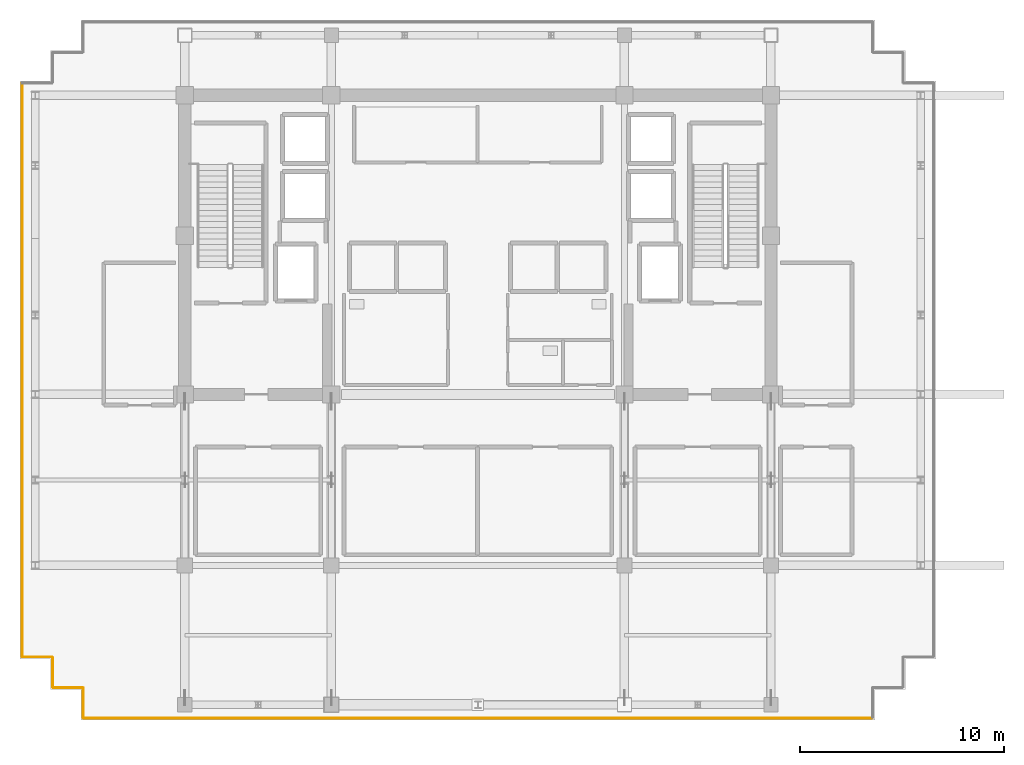
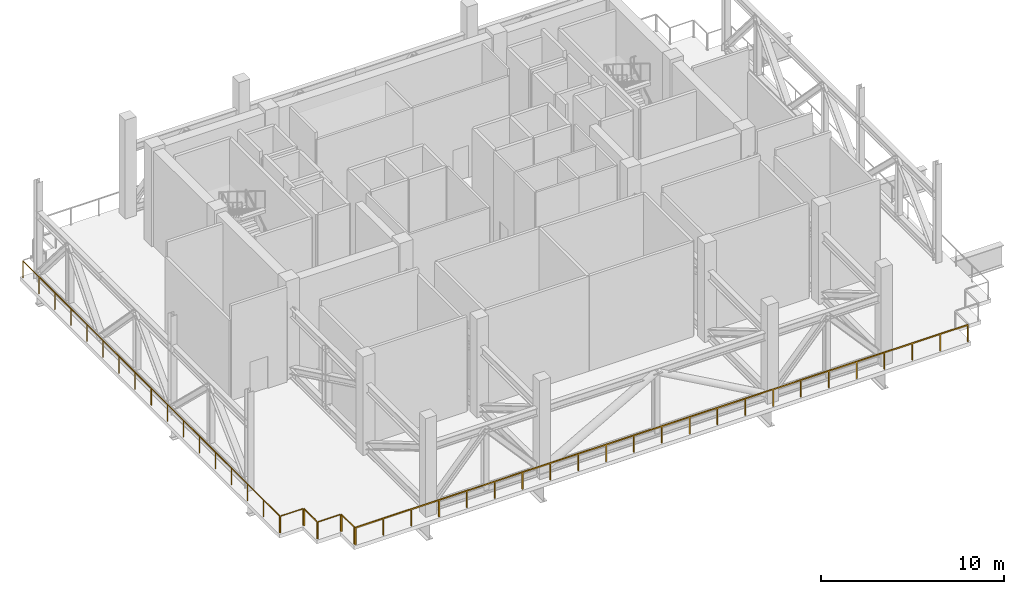
# One storey, part 7 of 11: 6 railings.
"""IFC4 building model written with IfcOpenShell, lengths in metres."""

import ifcopenshell
import ifcopenshell.guid

model = None  # the IFC model being written
_history = None  # IfcOwnerHistory: only IFC2X3 demands one
_inside = {}  # id of a spatial element -> (the spatial element, [elements in it])
_under = {}  # id of a project, library or spatial element -> (it, [spatial elements below it])
_declared = {}  # id of a project -> (the project, [libraries it declares])
_typed = {}  # id of a type object -> (the type object, [elements of that type])
_made_of = {}  # id of a material, layer set ... -> (it, [elements and type objects made of it])


def new_model(schema):
    """Start an empty IFC model of exactly this schema.

    Asked for "IFC4X3", IfcOpenShell would pick the latest addendum, in which some entities
    have other attributes; the version numbers below select the first issue.
    IFC2X3 requires an IfcOwnerHistory on every rooted entity: one is made here for all.
    """
    global model, _history
    if schema == "IFC4X3":
        model = ifcopenshell.file(schema_version=(4, 3, 0, 0))
    else:
        model = ifcopenshell.file(schema=schema)
    _inside.clear()
    _under.clear()
    _declared.clear()
    _typed.clear()
    _made_of.clear()
    _history = None
    if model.schema == "IFC2X3":
        org = make("IfcOrganization", Name="unknown")
        user = make(
            "IfcPersonAndOrganization",
            ThePerson=make("IfcPerson", FamilyName="unknown"),
            TheOrganization=org,
        )
        app = make(
            "IfcApplication",
            ApplicationDeveloper=org,
            Version="unknown",
            ApplicationFullName="unknown",
            ApplicationIdentifier="unknown",
        )
        _history = make(
            "IfcOwnerHistory",
            OwningUser=user,
            OwningApplication=app,
            ChangeAction="ADDED",
            CreationDate=0,
        )
    return model


def make(cls, **values):
    """One entity of the class cls with the attributes given. An attribute that is None is left unset."""
    return model.create_entity(
        cls, **{name: value for name, value in values.items() if value is not None}
    )


def rooted(cls, **values):
    """An entity with a GlobalId (a new one), such as an element, a storey or a relation."""
    return make(cls, GlobalId=ifcopenshell.guid.new(), OwnerHistory=_history, **values)


def si_unit(unit_type, name, prefix=None):
    """IfcSIUnit, for example si_unit("LENGTHUNIT", "METRE", prefix="MILLI")."""
    return make("IfcSIUnit", UnitType=unit_type, Prefix=prefix, Name=name)


def assignment(units):
    """IfcUnitAssignment: the units of a project."""
    return None if units is None else make("IfcUnitAssignment", Units=units)


def point(xyz):
    """IfcCartesianPoint."""
    return None if xyz is None else make("IfcCartesianPoint", Coordinates=xyz)


def direction(xyz):
    """IfcDirection."""
    return None if xyz is None else make("IfcDirection", DirectionRatios=xyz)


def frame(location, z_axis=None, x_axis=None):
    """IfcAxis2Placement3D, a coordinate frame: its origin and axes. An axis left out is left unset."""
    return make(
        "IfcAxis2Placement3D",
        Location=point(location),
        Axis=direction(z_axis),
        RefDirection=direction(x_axis),
    )


def frame_2d(location, x_axis=None):
    """IfcAxis2Placement2D, a coordinate frame in the plane: its origin and x axis."""
    return make(
        "IfcAxis2Placement2D", Location=point(location), RefDirection=direction(x_axis)
    )


def origin():
    """The frame at (0, 0, 0) with its axes left unset."""
    return frame((0.0, 0.0, 0.0))


def origin_2d():
    """The frame at (0, 0) in the plane with its x axis left unset."""
    return frame_2d((0.0, 0.0))


def place(relative_to, where):
    """IfcLocalPlacement: puts the frame where relative to a parent placement (None: the world)."""
    return make(
        "IfcLocalPlacement", PlacementRelTo=relative_to, RelativePlacement=where
    )


def context(
    kind, dimensions, precision=None, world=None, true_north=None, identifier=None
):
    """IfcGeometricRepresentationContext, for example the 3D "Model" context."""
    return make(
        "IfcGeometricRepresentationContext",
        ContextIdentifier=identifier,
        ContextType=kind,
        CoordinateSpaceDimension=dimensions,
        Precision=precision,
        WorldCoordinateSystem=world,
        TrueNorth=true_north,
    )


def subcontext(parent, identifier, kind, view, scale=None):
    """IfcGeometricRepresentationSubContext, for example "Body" below "Model"."""
    return make(
        "IfcGeometricRepresentationSubContext",
        ContextIdentifier=identifier,
        ContextType=kind,
        ParentContext=parent,
        TargetScale=scale,
        TargetView=view,
    )


def project(units=None, contexts=None):
    """IfcProject with its units and contexts."""
    return rooted(
        "IfcProject",
        Name="project",
        RepresentationContexts=contexts,
        UnitsInContext=assignment(units),
    )


def spatial(cls, under=None, at=None, **own):
    """A site, building, storey or space (cls), placed at a placement, below another one or the project."""
    s = rooted(cls, ObjectPlacement=at, **own)
    if under is not None:
        _under.setdefault(under.id(), (under, []))[1].append(s)
    return s


def profile(cls, at=None, kind="AREA", **sizes):
    """A parametric profile (cls). Its sizes go by their IFC names, for example OverallWidth=200.0."""
    return make(cls, ProfileType=kind, Position=at, **sizes)


def rectangle(**sizes):
    """IfcRectangleProfileDef."""
    return profile("IfcRectangleProfileDef", **sizes)


def extrude(swept, where, along, depth):
    """IfcExtrudedAreaSolid: the profile swept, set in the frame where, extruded along a direction by depth."""
    return make(
        "IfcExtrudedAreaSolid",
        SweptArea=swept,
        Position=where,
        ExtrudedDirection=direction(along),
        Depth=depth,
    )


def shape(context_of_items, identifier, shape_type, items):
    """IfcShapeRepresentation: the items that make up one representation, for example the "Body"."""
    return make(
        "IfcShapeRepresentation",
        ContextOfItems=context_of_items,
        RepresentationIdentifier=identifier,
        RepresentationType=shape_type,
        Items=items,
    )


def material(Name=None, Category=None):
    """IfcMaterial."""
    return make("IfcMaterial", Name=Name, Category=Category)


def made_of(thing, what):
    """Note that an element or type object is made of a material, layer set ...; save() writes the relation."""
    if what is not None:
        _made_of.setdefault(what.id(), (what, []))[1].append(thing)
    return thing


def type_object(cls, material=None, **own):
    """A type object (cls), such as IfcWallType, which elements share."""
    return made_of(rooted(cls, **own), material)


def element(
    cls,
    number,
    at=None,
    inside=None,
    cuts=None,
    type_object=None,
    material=None,
    context=None,
    identifier="Body",
    shape_type=None,
    held_by="IfcProductDefinitionShape",
    body=None,
    shapes=None,
    **own,
):
    """One element of the class cls, such as IfcWall. Its Tag is "e" and its number.

    at: its placement. inside: the storey or other place that contains it. cuts: it is an
    opening in that element (IfcRelVoidsElement). A single representation is given by context,
    identifier, shape_type and body (its items); several are given by shapes. held_by: the class
    of the entity that holds the representations. save() writes the other relations.
    """
    e = rooted(cls, Tag="e%d" % number, ObjectPlacement=at, **own)
    if body is not None:
        shapes = [shape(context, identifier, shape_type, body)]
    if shapes is not None:
        e.Representation = make(held_by, Representations=shapes)
    if inside is not None:
        _inside.setdefault(inside.id(), (inside, []))[1].append(e)
    if cuts is not None:
        rooted(
            "IfcRelVoidsElement", RelatingBuildingElement=cuts, RelatedOpeningElement=e
        )
    if type_object is not None:
        _typed.setdefault(type_object.id(), (type_object, []))[1].append(e)
    return made_of(e, material)


def aggregate(whole, parts):
    """IfcRelAggregates: a whole, such as a stair, and the parts it consists of."""
    return rooted("IfcRelAggregates", RelatingObject=whole, RelatedObjects=parts)


def save(model, path):
    """Write the relations noted so far, then the file.

    IfcRelAggregates (storeys below a building ...), IfcRelContainedInSpatialStructure (elements
    in a storey), IfcRelDefinesByType, IfcRelAssociatesMaterial and IfcRelDeclares: one each for
    every whole, place, type object, material and project.
    """
    for whole, parts in _under.values():
        aggregate(whole, parts)
    for where, things in _inside.values():
        rooted(
            "IfcRelContainedInSpatialStructure",
            RelatedElements=things,
            RelatingStructure=where,
        )
    for kind, things in _typed.values():
        rooted("IfcRelDefinesByType", RelatedObjects=things, RelatingType=kind)
    for what, things in _made_of.values():
        rooted("IfcRelAssociatesMaterial", RelatedObjects=things, RelatingMaterial=what)
    for by, libraries in _declared.values():
        rooted("IfcRelDeclares", RelatingContext=by, RelatedDefinitions=libraries)
    model.write(path)


model = new_model("IFC4")

# Units and contexts
model_context = context("Model", 3, precision=1e-05, world=origin(), true_north=direction((0.0, 1.0)))
body_context = subcontext(model_context, "Body", "Model", "MODEL_VIEW")
ifc_project = project(units=[si_unit("LENGTHUNIT", "METRE"), si_unit("AREAUNIT", "SQUARE_METRE"), si_unit("VOLUMEUNIT", "CUBIC_METRE"), si_unit("PLANEANGLEUNIT", "RADIAN"), si_unit("MASSUNIT", "GRAM", prefix="KILO")], contexts=[model_context])

# Site, building, storey
site_placement = place(None, origin())
site = spatial("IfcSite", under=ifc_project, at=site_placement, CompositionType="ELEMENT")
building_placement = place(site_placement, origin())
building = spatial("IfcBuilding", under=site, at=building_placement, Name="Zarnakvel Exchange Tower", CompositionType="ELEMENT")
storey_placement = place(building_placement, frame((0.0, 0.0, 199.0)))
storey = spatial("IfcBuildingStorey", under=building, at=storey_placement, Name="L56", CompositionType="ELEMENT", Elevation=199.0)

# Railings
ifc_material = material(Name="Architectural Bronze Anodised Aluminium", Category="aluminium")
railing_type = type_object("IfcRailingType", Name="GR-01", PredefinedType="GUARDRAIL", material=ifc_material)
railing_1_placement = place(storey_placement, frame((-22.39990234375, -14.06005859375, 0.0)))
element("IfcRailing", 1, at=railing_1_placement, inside=storey, type_object=railing_type, Name="L56 Perimeter Guardrail GR-L56-PERIM-01 (GR-01)", PredefinedType="GUARDRAIL", context=body_context, shape_type="SweptSolid", body=[
    extrude(rectangle(XDim=0.048095703125, YDim=0.048095703125, at=origin_2d()), frame((0.0, 0.0, 1.1259765625), z_axis=(0.0, 1.0, 0.0), x_axis=(-1.0, 0.0, 0.0)), (0.0, 0.0, 1.0), 28.1201171875),
    extrude(rectangle(XDim=0.0419921875, YDim=0.0419921875, at=origin_2d()), origin(), (0.0, 0.0, 1.0), 1.101806640625),
    extrude(rectangle(XDim=0.0419921875, YDim=0.0419921875, at=origin_2d()), frame((0.0, 1.757568359375, 0.0)), (0.0, 0.0, 1.0), 1.101806640625),
    extrude(rectangle(XDim=0.0419921875, YDim=0.0419921875, at=origin_2d()), frame((0.0, 3.51513671875, 0.0)), (0.0, 0.0, 1.0), 1.101806640625),
    extrude(rectangle(XDim=0.0419921875, YDim=0.0419921875, at=origin_2d()), frame((0.0, 5.2724609375, 0.0)), (0.0, 0.0, 1.0), 1.101806640625),
    extrude(rectangle(XDim=0.0419921875, YDim=0.0419921875, at=origin_2d()), frame((0.0, 7.030029296875, 0.0)), (0.0, 0.0, 1.0), 1.101806640625),
    extrude(rectangle(XDim=0.0419921875, YDim=0.0419921875, at=origin_2d()), frame((0.0, 8.78759765625, 0.0)), (0.0, 0.0, 1.0), 1.101806640625),
    extrude(rectangle(XDim=0.0419921875, YDim=0.0419921875, at=origin_2d()), frame((0.0, 10.544921875, 0.0)), (0.0, 0.0, 1.0), 1.101806640625),
    extrude(rectangle(XDim=0.0419921875, YDim=0.0419921875, at=origin_2d()), frame((0.0, 12.302490234375, 0.0)), (0.0, 0.0, 1.0), 1.101806640625),
    extrude(rectangle(XDim=0.0419921875, YDim=0.0419921875, at=origin_2d()), frame((0.0, 14.06005859375, 0.0)), (0.0, 0.0, 1.0), 1.101806640625),
    extrude(rectangle(XDim=0.0419921875, YDim=0.0419921875, at=origin_2d()), frame((0.0, 15.817626953125, 0.0)), (0.0, 0.0, 1.0), 1.101806640625),
    extrude(rectangle(XDim=0.0419921875, YDim=0.0419921875, at=origin_2d()), frame((0.0, 17.5751953125, 0.0)), (0.0, 0.0, 1.0), 1.101806640625),
    extrude(rectangle(XDim=0.0419921875, YDim=0.0419921875, at=origin_2d()), frame((0.0, 19.33251953125, 0.0)), (0.0, 0.0, 1.0), 1.101806640625),
    extrude(rectangle(XDim=0.0419921875, YDim=0.0419921875, at=origin_2d()), frame((0.0, 21.090087890625, 0.0)), (0.0, 0.0, 1.0), 1.101806640625),
    extrude(rectangle(XDim=0.0419921875, YDim=0.0419921875, at=origin_2d()), frame((0.0, 22.84765625, 0.0)), (0.0, 0.0, 1.0), 1.101806640625),
    extrude(rectangle(XDim=0.0419921875, YDim=0.0419921875, at=origin_2d()), frame((0.0, 24.60498046875, 0.0)), (0.0, 0.0, 1.0), 1.101806640625),
    extrude(rectangle(XDim=0.0419921875, YDim=0.0419921875, at=origin_2d()), frame((0.0, 26.362548828125, 0.0)), (0.0, 0.0, 1.0), 1.101806640625),
    extrude(rectangle(XDim=0.0419921875, YDim=0.0419921875, at=origin_2d()), frame((0.0, 28.1201171875, 0.0)), (0.0, 0.0, 1.0), 1.101806640625),
])
railing_2_placement = place(storey_placement, frame((19.360107421875, -17.10009765625, 0.0)))
element("IfcRailing", 2, at=railing_2_placement, inside=storey, type_object=railing_type, Name="L56 Perimeter Guardrail GR-L56-PERIM-16 (GR-01)", PredefinedType="GUARDRAIL", context=body_context, shape_type="SweptSolid", body=[
    extrude(rectangle(XDim=0.048095703125, YDim=0.048095703125, at=origin_2d()), frame((0.0, 0.0, 1.1259765625), z_axis=(-1.0, 0.0, 0.0), x_axis=(0.0, -1.0, 0.0)), (0.0, 0.0, 1.0), 38.72021484375),
    extrude(rectangle(XDim=0.0419921875, YDim=0.0419921875, at=origin_2d()), origin(), (0.0, 0.0, 1.0), 1.101806640625),
    extrude(rectangle(XDim=0.0419921875, YDim=0.0419921875, at=origin_2d()), frame((-1.760009765625, 0.0, 0.0)), (0.0, 0.0, 1.0), 1.101806640625),
    extrude(rectangle(XDim=0.0419921875, YDim=0.0419921875, at=origin_2d()), frame((-3.52001953125, 0.0, 0.0)), (0.0, 0.0, 1.0), 1.101806640625),
    extrude(rectangle(XDim=0.0419921875, YDim=0.0419921875, at=origin_2d()), frame((-5.280029296875, 0.0, 0.0)), (0.0, 0.0, 1.0), 1.101806640625),
    extrude(rectangle(XDim=0.0419921875, YDim=0.0419921875, at=origin_2d()), frame((-7.0400390625, 0.0, 0.0)), (0.0, 0.0, 1.0), 1.101806640625),
    extrude(rectangle(XDim=0.0419921875, YDim=0.0419921875, at=origin_2d()), frame((-8.800048828125, 0.0, 0.0)), (0.0, 0.0, 1.0), 1.101806640625),
    extrude(rectangle(XDim=0.0419921875, YDim=0.0419921875, at=origin_2d()), frame((-10.56005859375, 0.0, 0.0)), (0.0, 0.0, 1.0), 1.101806640625),
    extrude(rectangle(XDim=0.0419921875, YDim=0.0419921875, at=origin_2d()), frame((-12.320068359375, 0.0, 0.0)), (0.0, 0.0, 1.0), 1.101806640625),
    extrude(rectangle(XDim=0.0419921875, YDim=0.0419921875, at=origin_2d()), frame((-14.080078125, 0.0, 0.0)), (0.0, 0.0, 1.0), 1.101806640625),
    extrude(rectangle(XDim=0.0419921875, YDim=0.0419921875, at=origin_2d()), frame((-15.840087890625, 0.0, 0.0)), (0.0, 0.0, 1.0), 1.101806640625),
    extrude(rectangle(XDim=0.0419921875, YDim=0.0419921875, at=origin_2d()), frame((-17.60009765625, 0.0, 0.0)), (0.0, 0.0, 1.0), 1.101806640625),
    extrude(rectangle(XDim=0.0419921875, YDim=0.0419921875, at=origin_2d()), frame((-19.360107421875, 0.0, 0.0)), (0.0, 0.0, 1.0), 1.101806640625),
    extrude(rectangle(XDim=0.0419921875, YDim=0.0419921875, at=origin_2d()), frame((-21.1201171875, 0.0, 0.0)), (0.0, 0.0, 1.0), 1.101806640625),
    extrude(rectangle(XDim=0.0419921875, YDim=0.0419921875, at=origin_2d()), frame((-22.880126953125, 0.0, 0.0)), (0.0, 0.0, 1.0), 1.101806640625),
    extrude(rectangle(XDim=0.0419921875, YDim=0.0419921875, at=origin_2d()), frame((-24.64013671875, 0.0, 0.0)), (0.0, 0.0, 1.0), 1.101806640625),
    extrude(rectangle(XDim=0.0419921875, YDim=0.0419921875, at=origin_2d()), frame((-26.400146484375, 0.0, 0.0)), (0.0, 0.0, 1.0), 1.101806640625),
    extrude(rectangle(XDim=0.0419921875, YDim=0.0419921875, at=origin_2d()), frame((-28.16015625, 0.0, 0.0)), (0.0, 0.0, 1.0), 1.101806640625),
    extrude(rectangle(XDim=0.0419921875, YDim=0.0419921875, at=origin_2d()), frame((-29.920166015625, 0.0, 0.0)), (0.0, 0.0, 1.0), 1.101806640625),
    extrude(rectangle(XDim=0.0419921875, YDim=0.0419921875, at=origin_2d()), frame((-31.68017578125, 0.0, 0.0)), (0.0, 0.0, 1.0), 1.101806640625),
    extrude(rectangle(XDim=0.0419921875, YDim=0.0419921875, at=origin_2d()), frame((-33.440185546875, 0.0, 0.0)), (0.0, 0.0, 1.0), 1.101806640625),
    extrude(rectangle(XDim=0.0419921875, YDim=0.0419921875, at=origin_2d()), frame((-35.2001953125, 0.0, 0.0)), (0.0, 0.0, 1.0), 1.101806640625),
    extrude(rectangle(XDim=0.0419921875, YDim=0.0419921875, at=origin_2d()), frame((-36.960205078125, 0.0, 0.0)), (0.0, 0.0, 1.0), 1.101806640625),
    extrude(rectangle(XDim=0.0419921875, YDim=0.0419921875, at=origin_2d()), frame((-38.72021484375, 0.0, 0.0)), (0.0, 0.0, 1.0), 1.101806640625),
])
railing_3_placement = place(storey_placement, frame((-19.39990234375, -17.06005859375, 0.0)))
element("IfcRailing", 3, at=railing_3_placement, inside=storey, type_object=railing_type, Name="L56 Perimeter Guardrail GR-L56-PERIM-17 (GR-01)", PredefinedType="GUARDRAIL", context=body_context, shape_type="SweptSolid", body=[
    extrude(rectangle(XDim=0.048095703125, YDim=0.048095703125, at=origin_2d()), frame((0.0, 0.0, 1.1259765625), z_axis=(0.0, 1.0, 0.0), x_axis=(-1.0, 0.0, 0.0)), (0.0, 0.0, 1.0), 1.420166015625),
    extrude(rectangle(XDim=0.0419921875, YDim=0.0419921875, at=origin_2d()), origin(), (0.0, 0.0, 1.0), 1.101806640625),
    extrude(rectangle(XDim=0.0419921875, YDim=0.0419921875, at=origin_2d()), frame((0.0, 1.420166015625, 0.0)), (0.0, 0.0, 1.0), 1.101806640625),
])
railing_4_placement = place(storey_placement, frame((-19.43994140625, -15.60009765625, 0.0)))
element("IfcRailing", 4, at=railing_4_placement, inside=storey, type_object=railing_type, Name="L56 Perimeter Guardrail GR-L56-PERIM-18 (GR-01)", PredefinedType="GUARDRAIL", context=body_context, shape_type="SweptSolid", body=[
    extrude(rectangle(XDim=0.048095703125, YDim=0.048095703125, at=origin_2d()), frame((0.0, 0.0, 1.1259765625), z_axis=(-1.0, 0.0, 0.0), x_axis=(0.0, -1.0, 0.0)), (0.0, 0.0, 1.0), 1.420166015625),
    extrude(rectangle(XDim=0.0419921875, YDim=0.0419921875, at=origin_2d()), origin(), (0.0, 0.0, 1.0), 1.101806640625),
    extrude(rectangle(XDim=0.0419921875, YDim=0.0419921875, at=origin_2d()), frame((-1.420166015625, 0.0, 0.0)), (0.0, 0.0, 1.0), 1.101806640625),
])
railing_5_placement = place(storey_placement, frame((-20.89990234375, -15.56005859375, 0.0)))
element("IfcRailing", 5, at=railing_5_placement, inside=storey, type_object=railing_type, Name="L56 Perimeter Guardrail GR-L56-PERIM-19 (GR-01)", PredefinedType="GUARDRAIL", context=body_context, shape_type="SweptSolid", body=[
    extrude(rectangle(XDim=0.048095703125, YDim=0.048095703125, at=origin_2d()), frame((0.0, 0.0, 1.1259765625), z_axis=(0.0, 1.0, 0.0), x_axis=(-1.0, 0.0, 0.0)), (0.0, 0.0, 1.0), 1.420166015625),
    extrude(rectangle(XDim=0.0419921875, YDim=0.0419921875, at=origin_2d()), origin(), (0.0, 0.0, 1.0), 1.101806640625),
    extrude(rectangle(XDim=0.0419921875, YDim=0.0419921875, at=origin_2d()), frame((0.0, 1.420166015625, 0.0)), (0.0, 0.0, 1.0), 1.101806640625),
])
railing_6_placement = place(storey_placement, frame((-20.93994140625, -14.10009765625, 0.0)))
element("IfcRailing", 6, at=railing_6_placement, inside=storey, type_object=railing_type, Name="L56 Perimeter Guardrail GR-L56-PERIM-20 (GR-01)", PredefinedType="GUARDRAIL", context=body_context, shape_type="SweptSolid", body=[
    extrude(rectangle(XDim=0.048095703125, YDim=0.048095703125, at=origin_2d()), frame((0.0, 0.0, 1.1259765625), z_axis=(-1.0, 0.0, 0.0), x_axis=(0.0, -1.0, 0.0)), (0.0, 0.0, 1.0), 1.420166015625),
    extrude(rectangle(XDim=0.0419921875, YDim=0.0419921875, at=origin_2d()), origin(), (0.0, 0.0, 1.0), 1.101806640625),
    extrude(rectangle(XDim=0.0419921875, YDim=0.0419921875, at=origin_2d()), frame((-1.420166015625, 0.0, 0.0)), (0.0, 0.0, 1.0), 1.101806640625),
])

save(model, "model.ifc")
